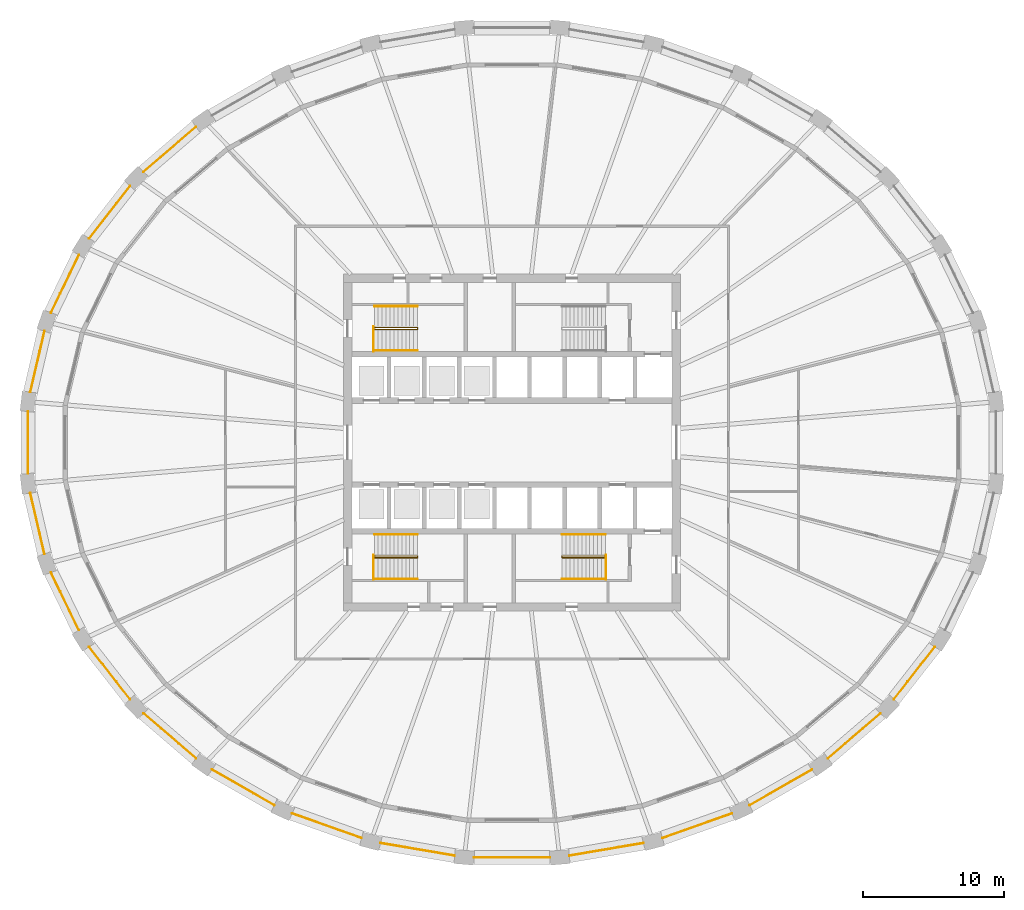
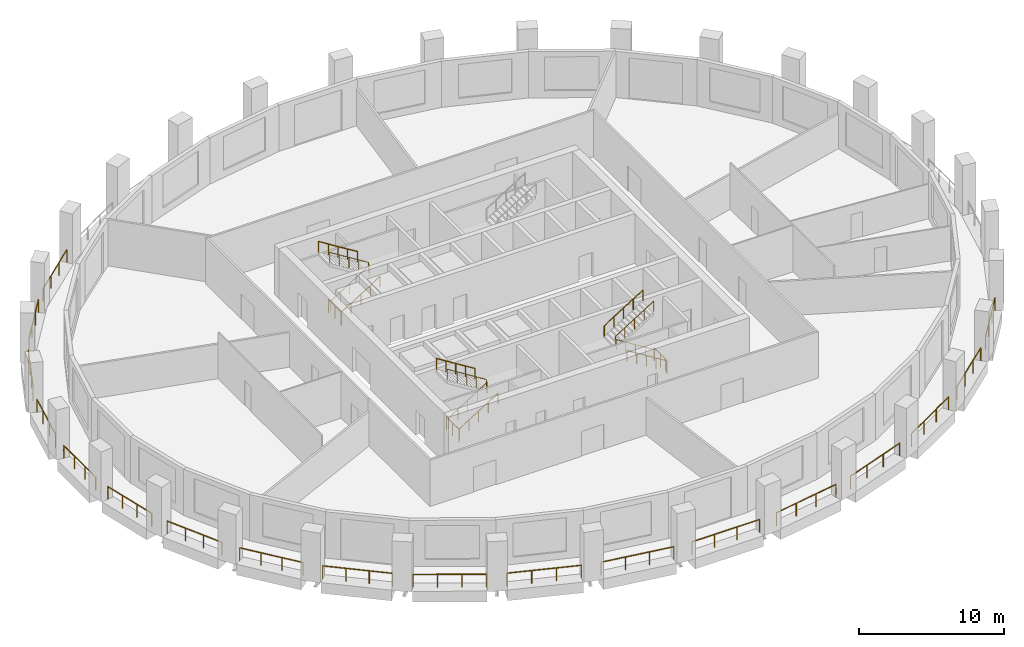
# One storey, part 8 of 10: 30 railings.
"""IFC4 building model written with IfcOpenShell, lengths in metres."""

from ifc_helpers import new_model, si_unit, direction, frame, origin, origin_2d, place, context, subcontext, project, spatial, circle, extrude, material, type_object, element, save


model = new_model("IFC4")

# Units and contexts
model_context = context("Model", 3, precision=1e-05, world=origin(), true_north=direction((0.0, 1.0)))
body_context = subcontext(model_context, "Body", "Model", "MODEL_VIEW")
ifc_project = project(units=[si_unit("LENGTHUNIT", "METRE"), si_unit("AREAUNIT", "SQUARE_METRE"), si_unit("VOLUMEUNIT", "CUBIC_METRE"), si_unit("PLANEANGLEUNIT", "RADIAN"), si_unit("MASSUNIT", "GRAM", prefix="KILO")], contexts=[model_context])

# Site, building, storey
site_placement = place(None, origin())
site = spatial("IfcSite", under=ifc_project, at=site_placement, CompositionType="ELEMENT")
building_placement = place(site_placement, origin())
building = spatial("IfcBuilding", under=site, at=building_placement, Name="Halqa Exchange Tower", CompositionType="ELEMENT")
storey_placement = place(building_placement, frame((0.0, 0.0, 129.699951171875)))
storey = spatial("IfcBuildingStorey", under=building, at=storey_placement, Name="L29", CompositionType="ELEMENT", Elevation=129.699951171875)

# Railings
ifc_material = material(Name="Stainless steel", Category="steel")
railing_type_1 = type_object("IfcRailingType", Name="Guard 1100 stainless steel", PredefinedType="GUARDRAIL", material=ifc_material)
railing_1_placement = place(storey_placement, frame((-22.48486328125, 22.47314453125, 0.0)))
element("IfcRailing", 1, at=railing_1_placement, inside=storey, type_object=railing_type_1, Name="Loggia guard 12", PredefinedType="GUARDRAIL", context=body_context, shape_type="SweptSolid", body=[
    extrude(circle(Radius=0.02392578125, at=origin_2d()), frame((0.0, 0.0, 1.076171875), z_axis=(-0.759260106659, -0.650787285091, 0.0), x_axis=(0.650787285091, -0.759260106659, 0.0)), (0.0, 0.0, 1.0), 4.917724609375),
    extrude(circle(Radius=0.02099609375, at=origin_2d()), origin(), (0.0, 0.0, 1.0), 1.052001953125),
    extrude(circle(Radius=0.02099609375, at=origin_2d()), frame((-1.24462890625, -1.06689453125, 0.0)), (0.0, 0.0, 1.0), 1.052001953125),
    extrude(circle(Radius=0.02099609375, at=origin_2d()), frame((-2.4892578125, -2.133544921875, 0.0)), (0.0, 0.0, 1.0), 1.052001953125),
    extrude(circle(Radius=0.02099609375, at=origin_2d()), frame((-3.73388671875, -3.200439453125, 0.0)), (0.0, 0.0, 1.0), 1.052001953125),
])
railing_2_placement = place(storey_placement, frame((-27.1806640625, 18.26513671875, 0.0)))
element("IfcRailing", 2, at=railing_2_placement, inside=storey, type_object=railing_type_1, Name="Loggia guard 13", PredefinedType="GUARDRAIL", context=body_context, shape_type="SweptSolid", body=[
    extrude(circle(Radius=0.02392578125, at=origin_2d()), frame((0.0, 0.0, 1.076171875), z_axis=(-0.614769268327, -0.788707009428, 0.0), x_axis=(0.788707009428, -0.614769268327, 0.0)), (0.0, 0.0, 1.0), 4.730224609375),
    extrude(circle(Radius=0.02099609375, at=origin_2d()), origin(), (0.0, 0.0, 1.0), 1.052001953125),
    extrude(circle(Radius=0.02099609375, at=origin_2d()), frame((-0.96923828125, -1.24365234375, 0.0)), (0.0, 0.0, 1.0), 1.052001953125),
    extrude(circle(Radius=0.02099609375, at=origin_2d()), frame((-1.938720703125, -2.487060546875, 0.0)), (0.0, 0.0, 1.0), 1.052001953125),
    extrude(circle(Radius=0.02099609375, at=origin_2d()), frame((-2.907958984375, -3.730712890625, 0.0)), (0.0, 0.0, 1.0), 1.052001953125),
])
railing_3_placement = place(storey_placement, frame((-30.82373046875, 13.35205078125, 0.0)))
element("IfcRailing", 3, at=railing_3_placement, inside=storey, type_object=railing_type_1, Name="Loggia guard 14", PredefinedType="GUARDRAIL", context=body_context, shape_type="SweptSolid", body=[
    extrude(circle(Radius=0.02392578125, at=origin_2d()), frame((0.0, 0.0, 1.076171875), z_axis=(-0.435089925601, -0.900387003816, 0.0), x_axis=(0.900387003816, -0.435089925601, 0.0)), (0.0, 0.0, 1.0), 4.56640625),
    extrude(circle(Radius=0.02099609375, at=origin_2d()), origin(), (0.0, 0.0, 1.0), 1.052001953125),
    extrude(circle(Radius=0.02099609375, at=origin_2d()), frame((-0.662353515625, -1.37060546875, 0.0)), (0.0, 0.0, 1.0), 1.052001953125),
    extrude(circle(Radius=0.02099609375, at=origin_2d()), frame((-1.324462890625, -2.740966796875, 0.0)), (0.0, 0.0, 1.0), 1.052001953125),
    extrude(circle(Radius=0.02099609375, at=origin_2d()), frame((-1.98681640625, -4.111572265625, 0.0)), (0.0, 0.0, 1.0), 1.052001953125),
])
railing_4_placement = place(storey_placement, frame((-33.2734375, 7.928466796875, 0.0)))
element("IfcRailing", 4, at=railing_4_placement, inside=storey, type_object=railing_type_1, Name="Loggia guard 15", PredefinedType="GUARDRAIL", context=body_context, shape_type="SweptSolid", body=[
    extrude(circle(Radius=0.02392578125, at=origin_2d()), frame((0.0, 0.0, 1.076171875), z_axis=(-0.226084201975, -0.974107762836, 0.0), x_axis=(0.974107762836, -0.226084201975, 0.0)), (0.0, 0.0, 1.0), 4.454345703125),
    extrude(circle(Radius=0.02099609375, at=origin_2d()), origin(), (0.0, 0.0, 1.0), 1.052001953125),
    extrude(circle(Radius=0.02099609375, at=origin_2d()), frame((-0.335693359375, -1.4462890625, 0.0)), (0.0, 0.0, 1.0), 1.052001953125),
    extrude(circle(Radius=0.02099609375, at=origin_2d()), frame((-0.67138671875, -2.892822265625, 0.0)), (0.0, 0.0, 1.0), 1.052001953125),
    extrude(circle(Radius=0.02099609375, at=origin_2d()), frame((-1.007080078125, -4.339111328125, 0.0)), (0.0, 0.0, 1.0), 1.052001953125),
])
railing_5_placement = place(storey_placement, frame((-34.438720703125, 2.20751953125, 0.0)))
element("IfcRailing", 5, at=railing_5_placement, inside=storey, type_object=railing_type_1, Name="Loggia guard 16", PredefinedType="GUARDRAIL", context=body_context, shape_type="SweptSolid", body=[
    extrude(circle(Radius=0.02392578125, at=origin_2d()), frame((0.0, 0.0, 1.076171875), z_axis=(0.0, -1.0, 0.0), x_axis=(1.0, 0.0, 0.0)), (0.0, 0.0, 1.0), 4.4150390625),
    extrude(circle(Radius=0.02099609375, at=origin_2d()), origin(), (0.0, 0.0, 1.0), 1.052001953125),
    extrude(circle(Radius=0.02099609375, at=origin_2d()), frame((0.0, -1.4716796875, 0.0)), (0.0, 0.0, 1.0), 1.052001953125),
    extrude(circle(Radius=0.02099609375, at=origin_2d()), frame((0.0, -2.943359375, 0.0)), (0.0, 0.0, 1.0), 1.052001953125),
    extrude(circle(Radius=0.02099609375, at=origin_2d()), frame((0.0, -4.4150390625, 0.0)), (0.0, 0.0, 1.0), 1.052001953125),
])
railing_6_placement = place(storey_placement, frame((-34.280517578125, -3.58935546875, 0.0)))
element("IfcRailing", 6, at=railing_6_placement, inside=storey, type_object=railing_type_1, Name="Loggia guard 17", PredefinedType="GUARDRAIL", context=body_context, shape_type="SweptSolid", body=[
    extrude(circle(Radius=0.02392578125, at=origin_2d()), frame((0.0, 0.0, 1.076171875), z_axis=(0.226084201975, -0.974107762836, 0.0), x_axis=(0.974107762836, 0.226084201975, 0.0)), (0.0, 0.0, 1.0), 4.454345703125),
    extrude(circle(Radius=0.02099609375, at=origin_2d()), origin(), (0.0, 0.0, 1.0), 1.052001953125),
    extrude(circle(Radius=0.02099609375, at=origin_2d()), frame((0.335693359375, -1.4462890625, 0.0)), (0.0, 0.0, 1.0), 1.052001953125),
    extrude(circle(Radius=0.02099609375, at=origin_2d()), frame((0.67138671875, -2.892822265625, 0.0)), (0.0, 0.0, 1.0), 1.052001953125),
    extrude(circle(Radius=0.02099609375, at=origin_2d()), frame((1.007080078125, -4.339111328125, 0.0)), (0.0, 0.0, 1.0), 1.052001953125),
])
railing_7_placement = place(storey_placement, frame((-32.810546875, -9.240478515625, 0.0)))
element("IfcRailing", 7, at=railing_7_placement, inside=storey, type_object=railing_type_1, Name="Loggia guard 18", PredefinedType="GUARDRAIL", context=body_context, shape_type="SweptSolid", body=[
    extrude(circle(Radius=0.02392578125, at=origin_2d()), frame((0.0, 0.0, 1.076171875), z_axis=(0.435089925601, -0.900387003816, 0.0), x_axis=(0.900387003816, 0.435089925601, 0.0)), (0.0, 0.0, 1.0), 4.56640625),
    extrude(circle(Radius=0.02099609375, at=origin_2d()), origin(), (0.0, 0.0, 1.0), 1.052001953125),
    extrude(circle(Radius=0.02099609375, at=origin_2d()), frame((0.662353515625, -1.37060546875, 0.0)), (0.0, 0.0, 1.0), 1.052001953125),
    extrude(circle(Radius=0.02099609375, at=origin_2d()), frame((1.324462890625, -2.740966796875, 0.0)), (0.0, 0.0, 1.0), 1.052001953125),
    extrude(circle(Radius=0.02099609375, at=origin_2d()), frame((1.98681640625, -4.111572265625, 0.0)), (0.0, 0.0, 1.0), 1.052001953125),
])
railing_8_placement = place(storey_placement, frame((-30.088623046875, -14.534423828125, 0.0)))
element("IfcRailing", 8, at=railing_8_placement, inside=storey, type_object=railing_type_1, Name="Loggia guard 19", PredefinedType="GUARDRAIL", context=body_context, shape_type="SweptSolid", body=[
    extrude(circle(Radius=0.02392578125, at=origin_2d()), frame((0.0, 0.0, 1.076171875), z_axis=(0.614769268327, -0.788707009428, 0.0), x_axis=(0.788707009428, 0.614769268327, 0.0)), (0.0, 0.0, 1.0), 4.730224609375),
    extrude(circle(Radius=0.02099609375, at=origin_2d()), origin(), (0.0, 0.0, 1.0), 1.052001953125),
    extrude(circle(Radius=0.02099609375, at=origin_2d()), frame((0.96923828125, -1.24365234375, 0.0)), (0.0, 0.0, 1.0), 1.052001953125),
    extrude(circle(Radius=0.02099609375, at=origin_2d()), frame((1.938720703125, -2.487060546875, 0.0)), (0.0, 0.0, 1.0), 1.052001953125),
    extrude(circle(Radius=0.02099609375, at=origin_2d()), frame((2.907958984375, -3.730712890625, 0.0)), (0.0, 0.0, 1.0), 1.052001953125),
])
railing_9_placement = place(storey_placement, frame((-26.21875, -19.272705078125, 0.0)))
element("IfcRailing", 9, at=railing_9_placement, inside=storey, type_object=railing_type_1, Name="Loggia guard 20", PredefinedType="GUARDRAIL", context=body_context, shape_type="SweptSolid", body=[
    extrude(circle(Radius=0.02392578125, at=origin_2d()), frame((0.0, 0.0, 1.076171875), z_axis=(0.759260106659, -0.650787285091, 0.0), x_axis=(0.650787285091, 0.759260106659, 0.0)), (0.0, 0.0, 1.0), 4.917724609375),
    extrude(circle(Radius=0.02099609375, at=origin_2d()), origin(), (0.0, 0.0, 1.0), 1.052001953125),
    extrude(circle(Radius=0.02099609375, at=origin_2d()), frame((1.24462890625, -1.06689453125, 0.0)), (0.0, 0.0, 1.0), 1.052001953125),
    extrude(circle(Radius=0.02099609375, at=origin_2d()), frame((2.4892578125, -2.133544921875, 0.0)), (0.0, 0.0, 1.0), 1.052001953125),
    extrude(circle(Radius=0.02099609375, at=origin_2d()), frame((3.73388671875, -3.200439453125, 0.0)), (0.0, 0.0, 1.0), 1.052001953125),
])
railing_10_placement = place(storey_placement, frame((-21.345947265625, -23.276611328125, 0.0)))
element("IfcRailing", 10, at=railing_10_placement, inside=storey, type_object=railing_type_1, Name="Loggia guard 21", PredefinedType="GUARDRAIL", context=body_context, shape_type="SweptSolid", body=[
    extrude(circle(Radius=0.02392578125, at=origin_2d()), frame((0.0, 0.0, 1.076171875), z_axis=(0.867765525419, -0.496973835222, 0.0), x_axis=(0.496973835222, 0.867765525419, 0.0)), (0.0, 0.0, 1.0), 5.10009765625),
    extrude(circle(Radius=0.02099609375, at=origin_2d()), origin(), (0.0, 0.0, 1.0), 1.052001953125),
    extrude(circle(Radius=0.02099609375, at=origin_2d()), frame((1.475341796875, -0.844970703125, 0.0)), (0.0, 0.0, 1.0), 1.052001953125),
    extrude(circle(Radius=0.02099609375, at=origin_2d()), frame((2.950439453125, -1.689697265625, 0.0)), (0.0, 0.0, 1.0), 1.052001953125),
    extrude(circle(Radius=0.02099609375, at=origin_2d()), frame((4.42578125, -2.53466796875, 0.0)), (0.0, 0.0, 1.0), 1.052001953125),
])
railing_11_placement = place(storey_placement, frame((-15.653076171875, -26.3935546875, 0.0)))
element("IfcRailing", 11, at=railing_11_placement, inside=storey, type_object=railing_type_1, Name="Loggia guard 22", PredefinedType="GUARDRAIL", context=body_context, shape_type="SweptSolid", body=[
    extrude(circle(Radius=0.02392578125, at=origin_2d()), frame((0.0, 0.0, 1.076171875), z_axis=(0.942362020759, -0.334595011664, 0.0), x_axis=(0.334595011664, 0.942362020759, 0.0)), (0.0, 0.0, 1.0), 5.250732421875),
    extrude(circle(Radius=0.02099609375, at=origin_2d()), origin(), (0.0, 0.0, 1.0), 1.052001953125),
    extrude(circle(Radius=0.02099609375, at=origin_2d()), frame((1.6494140625, -0.585693359375, 0.0)), (0.0, 0.0, 1.0), 1.052001953125),
    extrude(circle(Radius=0.02099609375, at=origin_2d()), frame((3.298583984375, -1.171142578125, 0.0)), (0.0, 0.0, 1.0), 1.052001953125),
    extrude(circle(Radius=0.02099609375, at=origin_2d()), frame((4.947998046875, -1.7568359375, 0.0)), (0.0, 0.0, 1.0), 1.052001953125),
])
railing_12_placement = place(storey_placement, frame((-9.35546875, -28.502197265625, 0.0)))
element("IfcRailing", 12, at=railing_12_placement, inside=storey, type_object=railing_type_1, Name="Loggia guard 23", PredefinedType="GUARDRAIL", context=body_context, shape_type="SweptSolid", body=[
    extrude(circle(Radius=0.02392578125, at=origin_2d()), frame((0.0, 0.0, 1.076171875), z_axis=(0.985774069953, -0.168075825176, 0.0), x_axis=(0.168075825176, 0.985774069953, 0.0)), (0.0, 0.0, 1.0), 5.349853515625),
    extrude(circle(Radius=0.02099609375, at=origin_2d()), origin(), (0.0, 0.0, 1.0), 1.052001953125),
    extrude(circle(Radius=0.02099609375, at=origin_2d()), frame((1.7578125, -0.2998046875, 0.0)), (0.0, 0.0, 1.0), 1.052001953125),
    extrude(circle(Radius=0.02099609375, at=origin_2d()), frame((3.515869140625, -0.599365234375, 0.0)), (0.0, 0.0, 1.0), 1.052001953125),
    extrude(circle(Radius=0.02099609375, at=origin_2d()), frame((5.273681640625, -0.899169921875, 0.0)), (0.0, 0.0, 1.0), 1.052001953125),
])
railing_13_placement = place(storey_placement, frame((-2.69189453125, -29.518798828125, 0.0)))
element("IfcRailing", 13, at=railing_13_placement, inside=storey, type_object=railing_type_1, Name="Loggia guard 24", PredefinedType="GUARDRAIL", context=body_context, shape_type="SweptSolid", body=[
    extrude(circle(Radius=0.02392578125, at=origin_2d()), frame((0.0, 0.0, 1.076171875), z_axis=(1.0, 0.0, 0.0), x_axis=(0.0, 1.0, 0.0)), (0.0, 0.0, 1.0), 5.3837890625),
    extrude(circle(Radius=0.02099609375, at=origin_2d()), origin(), (0.0, 0.0, 1.0), 1.052001953125),
    extrude(circle(Radius=0.02099609375, at=origin_2d()), frame((1.794677734375, 0.0, 0.0)), (0.0, 0.0, 1.0), 1.052001953125),
    extrude(circle(Radius=0.02099609375, at=origin_2d()), frame((3.589111328125, 0.0, 0.0)), (0.0, 0.0, 1.0), 1.052001953125),
    extrude(circle(Radius=0.02099609375, at=origin_2d()), frame((5.3837890625, 0.0, 0.0)), (0.0, 0.0, 1.0), 1.052001953125),
])
railing_14_placement = place(storey_placement, frame((4.081787109375, -29.4013671875, 0.0)))
element("IfcRailing", 14, at=railing_14_placement, inside=storey, type_object=railing_type_1, Name="Loggia guard 25", PredefinedType="GUARDRAIL", context=body_context, shape_type="SweptSolid", body=[
    extrude(circle(Radius=0.02392578125, at=origin_2d()), frame((0.0, 0.0, 1.076171875), z_axis=(0.985774069953, 0.168075825176, 0.0), x_axis=(-0.168075825176, 0.985774069953, 0.0)), (0.0, 0.0, 1.0), 5.349853515625),
    extrude(circle(Radius=0.02099609375, at=origin_2d()), origin(), (0.0, 0.0, 1.0), 1.052001953125),
    extrude(circle(Radius=0.02099609375, at=origin_2d()), frame((1.7578125, 0.2998046875, 0.0)), (0.0, 0.0, 1.0), 1.052001953125),
    extrude(circle(Radius=0.02099609375, at=origin_2d()), frame((3.515869140625, 0.599365234375, 0.0)), (0.0, 0.0, 1.0), 1.052001953125),
    extrude(circle(Radius=0.02099609375, at=origin_2d()), frame((5.273681640625, 0.899169921875, 0.0)), (0.0, 0.0, 1.0), 1.052001953125),
])
railing_15_placement = place(storey_placement, frame((10.705078125, -28.150390625, 0.0)))
element("IfcRailing", 15, at=railing_15_placement, inside=storey, type_object=railing_type_1, Name="Loggia guard 26", PredefinedType="GUARDRAIL", context=body_context, shape_type="SweptSolid", body=[
    extrude(circle(Radius=0.02392578125, at=origin_2d()), frame((0.0, 0.0, 1.076171875), z_axis=(0.942362020759, 0.334595011664, 0.0), x_axis=(-0.334595011664, 0.942362020759, 0.0)), (0.0, 0.0, 1.0), 5.250732421875),
    extrude(circle(Radius=0.02099609375, at=origin_2d()), origin(), (0.0, 0.0, 1.0), 1.052001953125),
    extrude(circle(Radius=0.02099609375, at=origin_2d()), frame((1.6494140625, 0.585693359375, 0.0)), (0.0, 0.0, 1.0), 1.052001953125),
    extrude(circle(Radius=0.02099609375, at=origin_2d()), frame((3.298583984375, 1.171142578125, 0.0)), (0.0, 0.0, 1.0), 1.052001953125),
    extrude(circle(Radius=0.02099609375, at=origin_2d()), frame((4.947998046875, 1.7568359375, 0.0)), (0.0, 0.0, 1.0), 1.052001953125),
])
railing_16_placement = place(storey_placement, frame((16.920166015625, -25.811279296875, 0.0)))
element("IfcRailing", 16, at=railing_16_placement, inside=storey, type_object=railing_type_1, Name="Loggia guard 27", PredefinedType="GUARDRAIL", context=body_context, shape_type="SweptSolid", body=[
    extrude(circle(Radius=0.02392578125, at=origin_2d()), frame((0.0, 0.0, 1.076171875), z_axis=(0.867765525419, 0.496973835222, 0.0), x_axis=(-0.496973835222, 0.867765525419, 0.0)), (0.0, 0.0, 1.0), 5.10009765625),
    extrude(circle(Radius=0.02099609375, at=origin_2d()), origin(), (0.0, 0.0, 1.0), 1.052001953125),
    extrude(circle(Radius=0.02099609375, at=origin_2d()), frame((1.475341796875, 0.844970703125, 0.0)), (0.0, 0.0, 1.0), 1.052001953125),
    extrude(circle(Radius=0.02099609375, at=origin_2d()), frame((2.950439453125, 1.689697265625, 0.0)), (0.0, 0.0, 1.0), 1.052001953125),
    extrude(circle(Radius=0.02099609375, at=origin_2d()), frame((4.42578125, 2.53466796875, 0.0)), (0.0, 0.0, 1.0), 1.052001953125),
])
railing_17_placement = place(storey_placement, frame((22.48486328125, -22.47314453125, 0.0)))
element("IfcRailing", 17, at=railing_17_placement, inside=storey, type_object=railing_type_1, Name="Loggia guard 28", PredefinedType="GUARDRAIL", context=body_context, shape_type="SweptSolid", body=[
    extrude(circle(Radius=0.02392578125, at=origin_2d()), frame((0.0, 0.0, 1.076171875), z_axis=(0.759260106659, 0.650787285091, 0.0), x_axis=(-0.650787285091, 0.759260106659, 0.0)), (0.0, 0.0, 1.0), 4.917724609375),
    extrude(circle(Radius=0.02099609375, at=origin_2d()), origin(), (0.0, 0.0, 1.0), 1.052001953125),
    extrude(circle(Radius=0.02099609375, at=origin_2d()), frame((1.24462890625, 1.06689453125, 0.0)), (0.0, 0.0, 1.0), 1.052001953125),
    extrude(circle(Radius=0.02099609375, at=origin_2d()), frame((2.4892578125, 2.133544921875, 0.0)), (0.0, 0.0, 1.0), 1.052001953125),
    extrude(circle(Radius=0.02099609375, at=origin_2d()), frame((3.73388671875, 3.200439453125, 0.0)), (0.0, 0.0, 1.0), 1.052001953125),
])
railing_18_placement = place(storey_placement, frame((27.1806640625, -18.26513671875, 0.0)))
element("IfcRailing", 18, at=railing_18_placement, inside=storey, type_object=railing_type_1, Name="Loggia guard 29", PredefinedType="GUARDRAIL", context=body_context, shape_type="SweptSolid", body=[
    extrude(circle(Radius=0.02392578125, at=origin_2d()), frame((0.0, 0.0, 1.076171875), z_axis=(0.614769268327, 0.788707009428, 0.0), x_axis=(-0.788707009428, 0.614769268327, 0.0)), (0.0, 0.0, 1.0), 4.730224609375),
    extrude(circle(Radius=0.02099609375, at=origin_2d()), origin(), (0.0, 0.0, 1.0), 1.052001953125),
    extrude(circle(Radius=0.02099609375, at=origin_2d()), frame((0.96923828125, 1.24365234375, 0.0)), (0.0, 0.0, 1.0), 1.052001953125),
    extrude(circle(Radius=0.02099609375, at=origin_2d()), frame((1.938720703125, 2.487060546875, 0.0)), (0.0, 0.0, 1.0), 1.052001953125),
    extrude(circle(Radius=0.02099609375, at=origin_2d()), frame((2.907958984375, 3.730712890625, 0.0)), (0.0, 0.0, 1.0), 1.052001953125),
])
railing_type_2 = type_object("IfcRailingType", Name="Stair handrail 900", PredefinedType="HANDRAIL", material=ifc_material)
railing_19_placement = place(storey_placement, frame((-9.800048828125, 8.06005859375, 0.175048828125)))
element("IfcRailing", 19, at=railing_19_placement, inside=storey, type_object=railing_type_2, Name="Handrail ST1.1", PredefinedType="HANDRAIL", context=body_context, shape_type="SweptSolid", body=[
    extrude(circle(Radius=0.02392578125, at=origin_2d()), frame((0.0, 0.0, 0.8759765625), z_axis=(0.847998304005, 0.0, 0.529998940003), x_axis=(0.0, 1.0, 0.0)), (0.0, 0.0, 1.0), 3.632080078125),
    extrude(circle(Radius=0.02392578125, at=origin_2d()), frame((3.080078125, 0.0, 2.80078125), z_axis=(0.0, 0.595870227118, 0.803080738428), x_axis=(-1.0, 0.0, 0.0)), (0.0, 0.0, 1.0), 0.218017578125),
    extrude(circle(Radius=0.02392578125, at=origin_2d()), frame((3.080078125, 0.1298828125, 2.97607421875), z_axis=(-0.848028513186, 0.0, 0.529950602248), x_axis=(0.0, -1.0, 0.0)), (0.0, 0.0, 1.0), 3.632080078125),
    extrude(circle(Radius=0.02099609375, at=origin_2d()), origin(), (0.0, 0.0, 1.0), 0.851806640625),
    extrude(circle(Radius=0.02099609375, at=origin_2d()), frame((0.77001953125, 0.0, 0.481201171875)), (0.0, 0.0, 1.0), 0.851806640625),
    extrude(circle(Radius=0.02099609375, at=origin_2d()), frame((1.5400390625, 0.0, 0.96240234375)), (0.0, 0.0, 1.0), 0.851806640625),
    extrude(circle(Radius=0.02099609375, at=origin_2d()), frame((2.31005859375, 0.0, 1.44384765625)), (0.0, 0.0, 1.0), 0.851806640625),
    extrude(circle(Radius=0.02099609375, at=origin_2d()), frame((3.080078125, 0.0, 1.925048828125)), (0.0, 0.0, 1.0), 0.851806640625),
    extrude(circle(Radius=0.02099609375, at=origin_2d()), frame((3.080078125, 0.1298828125, 2.10009765625)), (0.0, 0.0, 1.0), 0.851806640625),
    extrude(circle(Radius=0.02099609375, at=origin_2d()), frame((2.31005859375, 0.1298828125, 2.581298828125)), (0.0, 0.0, 1.0), 0.851806640625),
    extrude(circle(Radius=0.02099609375, at=origin_2d()), frame((1.5400390625, 0.1298828125, 3.0625)), (0.0, 0.0, 1.0), 0.851806640625),
    extrude(circle(Radius=0.02099609375, at=origin_2d()), frame((0.77001953125, 0.1298828125, 3.543701171875)), (0.0, 0.0, 1.0), 0.851806640625),
    extrude(circle(Radius=0.02099609375, at=origin_2d()), frame((0.0, 0.1298828125, 4.02490234375)), (0.0, 0.0, 1.0), 0.851806640625),
])
railing_20_placement = place(storey_placement, frame((-9.800048828125, 6.550048828125, 0.175048828125)))
element("IfcRailing", 20, at=railing_20_placement, inside=storey, type_object=railing_type_2, Name="Handrail ST1.2", PredefinedType="HANDRAIL", context=body_context, shape_type="SweptSolid", body=[
    extrude(circle(Radius=0.02392578125, at=origin_2d()), frame((0.0, 0.0, 0.8759765625), z_axis=(0.847998304005, 0.0, 0.529998940003), x_axis=(0.0, 1.0, 0.0)), (0.0, 0.0, 1.0), 3.632080078125),
    extrude(circle(Radius=0.02099609375, at=origin_2d()), origin(), (0.0, 0.0, 1.0), 0.851806640625),
    extrude(circle(Radius=0.02099609375, at=origin_2d()), frame((0.77001953125, 0.0, 0.481201171875)), (0.0, 0.0, 1.0), 0.851806640625),
    extrude(circle(Radius=0.02099609375, at=origin_2d()), frame((1.5400390625, 0.0, 0.96240234375)), (0.0, 0.0, 1.0), 0.851806640625),
    extrude(circle(Radius=0.02099609375, at=origin_2d()), frame((2.31005859375, 0.0, 1.44384765625)), (0.0, 0.0, 1.0), 0.851806640625),
    extrude(circle(Radius=0.02099609375, at=origin_2d()), frame((3.080078125, 0.0, 1.925048828125)), (0.0, 0.0, 1.0), 0.851806640625),
])
railing_21_placement = place(storey_placement, frame((-6.719970703125, 9.699951171875, 2.275146484375)))
element("IfcRailing", 21, at=railing_21_placement, inside=storey, type_object=railing_type_2, Name="Handrail ST1.3", PredefinedType="HANDRAIL", context=body_context, shape_type="SweptSolid", body=[
    extrude(circle(Radius=0.02392578125, at=origin_2d()), frame((0.0, 0.0, 0.8759765625), z_axis=(-0.848028513186, 0.0, 0.529950602248), x_axis=(0.0, -1.0, 0.0)), (0.0, 0.0, 1.0), 3.632080078125),
    extrude(circle(Radius=0.02099609375, at=origin_2d()), origin(), (0.0, 0.0, 1.0), 0.851806640625),
    extrude(circle(Radius=0.02099609375, at=origin_2d()), frame((-0.77001953125, 0.0, 0.481201171875)), (0.0, 0.0, 1.0), 0.851806640625),
    extrude(circle(Radius=0.02099609375, at=origin_2d()), frame((-1.5400390625, 0.0, 0.96240234375)), (0.0, 0.0, 1.0), 0.851806640625),
    extrude(circle(Radius=0.02099609375, at=origin_2d()), frame((-2.31005859375, 0.0, 1.443603515625)), (0.0, 0.0, 1.0), 0.851806640625),
    extrude(circle(Radius=0.02099609375, at=origin_2d()), frame((-3.080078125, 0.0, 1.9248046875)), (0.0, 0.0, 1.0), 0.851806640625),
])
railing_22_placement = place(storey_placement, frame((-9.800048828125, -8.18994140625, 0.175048828125)))
element("IfcRailing", 22, at=railing_22_placement, inside=storey, type_object=railing_type_2, Name="Handrail ST3.1", PredefinedType="HANDRAIL", context=body_context, shape_type="SweptSolid", body=[
    extrude(circle(Radius=0.02392578125, at=origin_2d()), frame((0.0, 0.0, 0.8759765625), z_axis=(0.847998304005, 0.0, 0.529998940003), x_axis=(0.0, 1.0, 0.0)), (0.0, 0.0, 1.0), 3.632080078125),
    extrude(circle(Radius=0.02392578125, at=origin_2d()), frame((3.080078125, 0.0, 2.80078125), z_axis=(0.0, 0.595870227118, 0.803080738428), x_axis=(-1.0, 0.0, 0.0)), (0.0, 0.0, 1.0), 0.218017578125),
    extrude(circle(Radius=0.02392578125, at=origin_2d()), frame((3.080078125, 0.1298828125, 2.97607421875), z_axis=(-0.848028513186, 0.0, 0.529950602248), x_axis=(0.0, -1.0, 0.0)), (0.0, 0.0, 1.0), 3.632080078125),
    extrude(circle(Radius=0.02099609375, at=origin_2d()), origin(), (0.0, 0.0, 1.0), 0.851806640625),
    extrude(circle(Radius=0.02099609375, at=origin_2d()), frame((0.77001953125, 0.0, 0.481201171875)), (0.0, 0.0, 1.0), 0.851806640625),
    extrude(circle(Radius=0.02099609375, at=origin_2d()), frame((1.5400390625, 0.0, 0.96240234375)), (0.0, 0.0, 1.0), 0.851806640625),
    extrude(circle(Radius=0.02099609375, at=origin_2d()), frame((2.31005859375, 0.0, 1.44384765625)), (0.0, 0.0, 1.0), 0.851806640625),
    extrude(circle(Radius=0.02099609375, at=origin_2d()), frame((3.080078125, 0.0, 1.925048828125)), (0.0, 0.0, 1.0), 0.851806640625),
    extrude(circle(Radius=0.02099609375, at=origin_2d()), frame((3.080078125, 0.1298828125, 2.10009765625)), (0.0, 0.0, 1.0), 0.851806640625),
    extrude(circle(Radius=0.02099609375, at=origin_2d()), frame((2.31005859375, 0.1298828125, 2.581298828125)), (0.0, 0.0, 1.0), 0.851806640625),
    extrude(circle(Radius=0.02099609375, at=origin_2d()), frame((1.5400390625, 0.1298828125, 3.0625)), (0.0, 0.0, 1.0), 0.851806640625),
    extrude(circle(Radius=0.02099609375, at=origin_2d()), frame((0.77001953125, 0.1298828125, 3.543701171875)), (0.0, 0.0, 1.0), 0.851806640625),
    extrude(circle(Radius=0.02099609375, at=origin_2d()), frame((0.0, 0.1298828125, 4.02490234375)), (0.0, 0.0, 1.0), 0.851806640625),
])
railing_23_placement = place(storey_placement, frame((-9.800048828125, -9.699951171875, 0.175048828125)))
element("IfcRailing", 23, at=railing_23_placement, inside=storey, type_object=railing_type_2, Name="Handrail ST3.2", PredefinedType="HANDRAIL", context=body_context, shape_type="SweptSolid", body=[
    extrude(circle(Radius=0.02392578125, at=origin_2d()), frame((0.0, 0.0, 0.8759765625), z_axis=(0.847998304005, 0.0, 0.529998940003), x_axis=(0.0, 1.0, 0.0)), (0.0, 0.0, 1.0), 3.632080078125),
    extrude(circle(Radius=0.02099609375, at=origin_2d()), origin(), (0.0, 0.0, 1.0), 0.851806640625),
    extrude(circle(Radius=0.02099609375, at=origin_2d()), frame((0.77001953125, 0.0, 0.481201171875)), (0.0, 0.0, 1.0), 0.851806640625),
    extrude(circle(Radius=0.02099609375, at=origin_2d()), frame((1.5400390625, 0.0, 0.96240234375)), (0.0, 0.0, 1.0), 0.851806640625),
    extrude(circle(Radius=0.02099609375, at=origin_2d()), frame((2.31005859375, 0.0, 1.44384765625)), (0.0, 0.0, 1.0), 0.851806640625),
    extrude(circle(Radius=0.02099609375, at=origin_2d()), frame((3.080078125, 0.0, 1.925048828125)), (0.0, 0.0, 1.0), 0.851806640625),
])
railing_24_placement = place(storey_placement, frame((-6.719970703125, -6.550048828125, 2.275146484375)))
element("IfcRailing", 24, at=railing_24_placement, inside=storey, type_object=railing_type_2, Name="Handrail ST3.3", PredefinedType="HANDRAIL", context=body_context, shape_type="SweptSolid", body=[
    extrude(circle(Radius=0.02392578125, at=origin_2d()), frame((0.0, 0.0, 0.8759765625), z_axis=(-0.848028513186, 0.0, 0.529950602248), x_axis=(0.0, -1.0, 0.0)), (0.0, 0.0, 1.0), 3.632080078125),
    extrude(circle(Radius=0.02099609375, at=origin_2d()), origin(), (0.0, 0.0, 1.0), 0.851806640625),
    extrude(circle(Radius=0.02099609375, at=origin_2d()), frame((-0.77001953125, 0.0, 0.481201171875)), (0.0, 0.0, 1.0), 0.851806640625),
    extrude(circle(Radius=0.02099609375, at=origin_2d()), frame((-1.5400390625, 0.0, 0.96240234375)), (0.0, 0.0, 1.0), 0.851806640625),
    extrude(circle(Radius=0.02099609375, at=origin_2d()), frame((-2.31005859375, 0.0, 1.443603515625)), (0.0, 0.0, 1.0), 0.851806640625),
    extrude(circle(Radius=0.02099609375, at=origin_2d()), frame((-3.080078125, 0.0, 1.9248046875)), (0.0, 0.0, 1.0), 0.851806640625),
])
railing_25_placement = place(storey_placement, frame((6.64990234375, -8.18994140625, 0.175048828125)))
element("IfcRailing", 25, at=railing_25_placement, inside=storey, type_object=railing_type_2, Name="Handrail ST4.1", PredefinedType="HANDRAIL", context=body_context, shape_type="SweptSolid", body=[
    extrude(circle(Radius=0.02392578125, at=origin_2d()), frame((0.0, 0.0, 0.8759765625), z_axis=(-0.847979421464, 0.0, 0.530029150871), x_axis=(0.0, -1.0, 0.0)), (0.0, 0.0, 1.0), 3.632080078125),
    extrude(circle(Radius=0.02392578125, at=origin_2d()), frame((-3.079833984375, 0.0, 2.80078125), z_axis=(0.0, 0.595870227118, 0.803080738428), x_axis=(-1.0, 0.0, 0.0)), (0.0, 0.0, 1.0), 0.218017578125),
    extrude(circle(Radius=0.02392578125, at=origin_2d()), frame((-3.079833984375, 0.1298828125, 2.97607421875), z_axis=(0.848009633417, 0.0, 0.529980812513), x_axis=(0.0, 1.0, 0.0)), (0.0, 0.0, 1.0), 3.6318359375),
    extrude(circle(Radius=0.02099609375, at=origin_2d()), origin(), (0.0, 0.0, 1.0), 0.851806640625),
    extrude(circle(Radius=0.02099609375, at=origin_2d()), frame((-0.77001953125, 0.0, 0.481201171875)), (0.0, 0.0, 1.0), 0.851806640625),
    extrude(circle(Radius=0.02099609375, at=origin_2d()), frame((-1.5400390625, 0.0, 0.96240234375)), (0.0, 0.0, 1.0), 0.851806640625),
    extrude(circle(Radius=0.02099609375, at=origin_2d()), frame((-2.309814453125, 0.0, 1.44384765625)), (0.0, 0.0, 1.0), 0.851806640625),
    extrude(circle(Radius=0.02099609375, at=origin_2d()), frame((-3.079833984375, 0.0, 1.925048828125)), (0.0, 0.0, 1.0), 0.851806640625),
    extrude(circle(Radius=0.02099609375, at=origin_2d()), frame((-3.079833984375, 0.1298828125, 2.10009765625)), (0.0, 0.0, 1.0), 0.851806640625),
    extrude(circle(Radius=0.02099609375, at=origin_2d()), frame((-2.309814453125, 0.1298828125, 2.581298828125)), (0.0, 0.0, 1.0), 0.851806640625),
    extrude(circle(Radius=0.02099609375, at=origin_2d()), frame((-1.5400390625, 0.1298828125, 3.0625)), (0.0, 0.0, 1.0), 0.851806640625),
    extrude(circle(Radius=0.02099609375, at=origin_2d()), frame((-0.77001953125, 0.1298828125, 3.543701171875)), (0.0, 0.0, 1.0), 0.851806640625),
    extrude(circle(Radius=0.02099609375, at=origin_2d()), frame((0.0, 0.1298828125, 4.02490234375)), (0.0, 0.0, 1.0), 0.851806640625),
])
railing_26_placement = place(storey_placement, frame((6.64990234375, -9.699951171875, 0.175048828125)))
element("IfcRailing", 26, at=railing_26_placement, inside=storey, type_object=railing_type_2, Name="Handrail ST4.2", PredefinedType="HANDRAIL", context=body_context, shape_type="SweptSolid", body=[
    extrude(circle(Radius=0.02392578125, at=origin_2d()), frame((0.0, 0.0, 0.8759765625), z_axis=(-0.847979421464, 0.0, 0.530029150871), x_axis=(0.0, -1.0, 0.0)), (0.0, 0.0, 1.0), 3.632080078125),
    extrude(circle(Radius=0.02099609375, at=origin_2d()), origin(), (0.0, 0.0, 1.0), 0.851806640625),
    extrude(circle(Radius=0.02099609375, at=origin_2d()), frame((-0.77001953125, 0.0, 0.481201171875)), (0.0, 0.0, 1.0), 0.851806640625),
    extrude(circle(Radius=0.02099609375, at=origin_2d()), frame((-1.5400390625, 0.0, 0.96240234375)), (0.0, 0.0, 1.0), 0.851806640625),
    extrude(circle(Radius=0.02099609375, at=origin_2d()), frame((-2.309814453125, 0.0, 1.44384765625)), (0.0, 0.0, 1.0), 0.851806640625),
    extrude(circle(Radius=0.02099609375, at=origin_2d()), frame((-3.079833984375, 0.0, 1.925048828125)), (0.0, 0.0, 1.0), 0.851806640625),
])
railing_27_placement = place(storey_placement, frame((3.570068359375, -6.550048828125, 2.275146484375)))
element("IfcRailing", 27, at=railing_27_placement, inside=storey, type_object=railing_type_2, Name="Handrail ST4.3", PredefinedType="HANDRAIL", context=body_context, shape_type="SweptSolid", body=[
    extrude(circle(Radius=0.02392578125, at=origin_2d()), frame((0.0, 0.0, 0.8759765625), z_axis=(0.848009633417, 0.0, 0.529980812513), x_axis=(0.0, 1.0, 0.0)), (0.0, 0.0, 1.0), 3.6318359375),
    extrude(circle(Radius=0.02099609375, at=origin_2d()), origin(), (0.0, 0.0, 1.0), 0.851806640625),
    extrude(circle(Radius=0.02099609375, at=origin_2d()), frame((0.77001953125, 0.0, 0.481201171875)), (0.0, 0.0, 1.0), 0.851806640625),
    extrude(circle(Radius=0.02099609375, at=origin_2d()), frame((1.5400390625, 0.0, 0.96240234375)), (0.0, 0.0, 1.0), 0.851806640625),
    extrude(circle(Radius=0.02099609375, at=origin_2d()), frame((2.309814453125, 0.0, 1.443603515625)), (0.0, 0.0, 1.0), 0.851806640625),
    extrude(circle(Radius=0.02099609375, at=origin_2d()), frame((3.079833984375, 0.0, 1.9248046875)), (0.0, 0.0, 1.0), 0.851806640625),
])
railing_type_3 = type_object("IfcRailingType", Name="Stair well guard 1100", PredefinedType="GUARDRAIL", material=ifc_material)
for number, where, name in (
    (28, (-9.85009765625, 6.5, 0.0), "Guard ST1 well"),
    (29, (-9.85009765625, -9.75, 0.0), "Guard ST3 well"),
    (30, (6.699951171875, -9.75, 0.0), "Guard ST4 well"),
):
    element("IfcRailing", number, at=place(storey_placement, frame(where)), inside=storey, type_object=railing_type_3, Name=name, PredefinedType="GUARDRAIL", context=body_context, shape_type="SweptSolid", body=[
        extrude(circle(Radius=0.02392578125, at=origin_2d()), frame((0.0, 0.0, 1.076171875), z_axis=(0.0, 1.0, 0.0), x_axis=(-1.0, 0.0, 0.0)), (0.0, 0.0, 1.0), 1.75),
        extrude(circle(Radius=0.02099609375, at=origin_2d()), origin(), (0.0, 0.0, 1.0), 1.052001953125),
        extrude(circle(Radius=0.02099609375, at=origin_2d()), frame((0.0, 0.875, 0.0)), (0.0, 0.0, 1.0), 1.052001953125),
        extrude(circle(Radius=0.02099609375, at=origin_2d()), frame((0.0, 1.75, 0.0)), (0.0, 0.0, 1.0), 1.052001953125),
    ])

save(model, "model.ifc")
